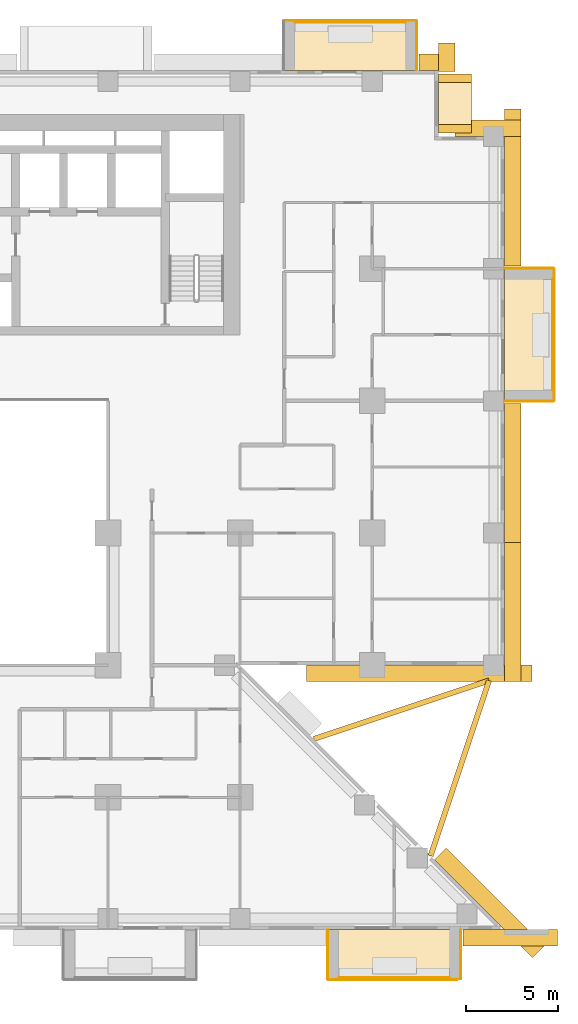
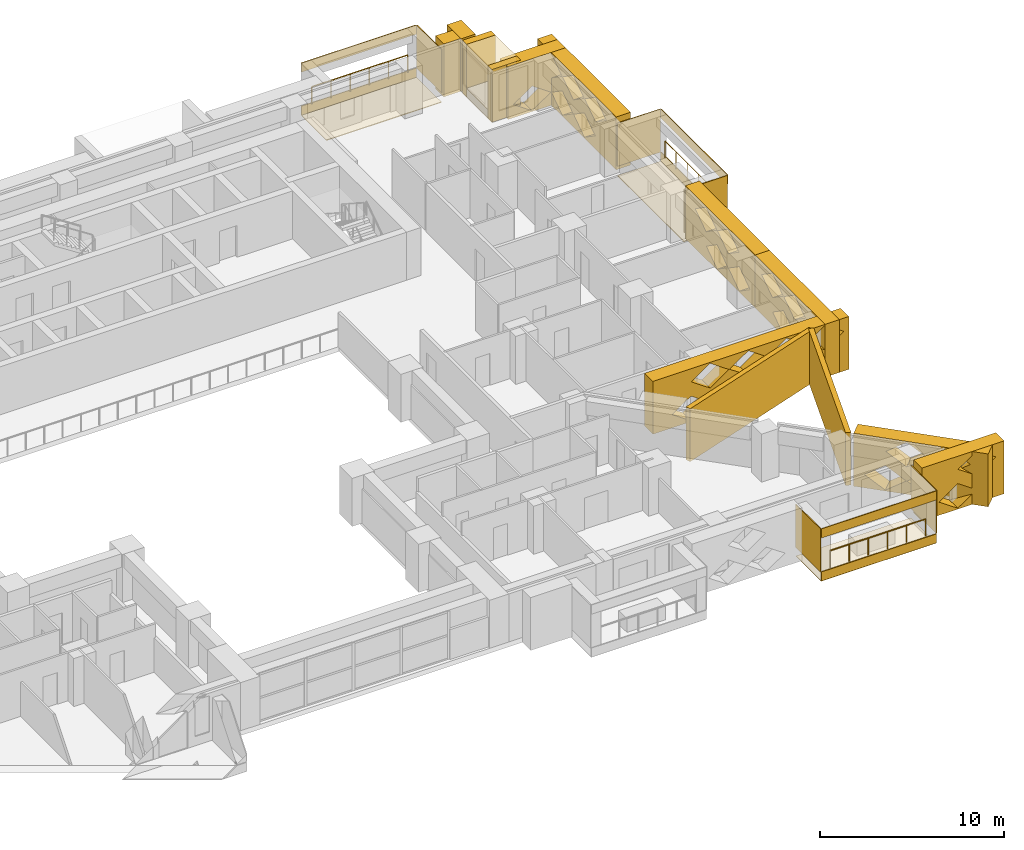
# One storey, part 17 of 17: 29 coverings, 3 railings.
"""IFC4 building model written with IfcOpenShell, lengths in metres."""

from ifc_helpers import new_model, si_unit, direction, frame, origin, origin_2d, place, context, subcontext, project, spatial, polyline, circle, outline, extrude, material, layer, layer_set, type_object, element, save


model = new_model("IFC4")

# Units and contexts
model_context = context("Model", 3, precision=1e-05, world=origin(), true_north=direction((0.0, 1.0)))
body_context = subcontext(model_context, "Body", "Model", "MODEL_VIEW")
ifc_project = project(units=[si_unit("LENGTHUNIT", "METRE"), si_unit("AREAUNIT", "SQUARE_METRE"), si_unit("VOLUMEUNIT", "CUBIC_METRE"), si_unit("PLANEANGLEUNIT", "RADIAN"), si_unit("MASSUNIT", "GRAM", prefix="KILO")], contexts=[model_context])

# Site, building, storey
site_placement = place(None, origin())
site = spatial("IfcSite", under=ifc_project, at=site_placement, CompositionType="ELEMENT")
building_placement = place(site_placement, origin())
building = spatial("IfcBuilding", under=site, at=building_placement, Name="Saffron Iwan Residences", CompositionType="ELEMENT")
storey_placement = place(building_placement, frame((0.0, 0.0, 41.0)))
storey = spatial("IfcBuildingStorey", under=building, at=storey_placement, Name="L09", CompositionType="ELEMENT", Elevation=41.0)

# Railings
ifc_material_1 = material(Name="Stainless steel 316", Category="steel")
railing_type = type_object("IfcRailingType", Name="BALCONY GUARD 1150", PredefinedType="GUARDRAIL", material=ifc_material_1)
railing_1_placement = place(storey_placement, frame((89.02490234375, 63.0, 0.0)))
element("IfcRailing", 1, at=railing_1_placement, inside=storey, type_object=railing_type, Name="Balcony guard L09 F2-0", PredefinedType="GUARDRAIL", context=body_context, shape_type="SweptSolid", body=[
    extrude(circle(Radius=0.02392578125, at=origin_2d()), frame((0.0, 0.0, 1.1259765625), z_axis=(0.0, 1.0, 0.0), x_axis=(-1.0, 0.0, 0.0)), (0.0, 0.0, 1.0), 6.0),
    extrude(circle(Radius=0.02099609375, at=origin_2d()), origin(), (0.0, 0.0, 1.0), 1.101806640625),
    extrude(circle(Radius=0.02099609375, at=origin_2d()), frame((0.0, 1.199951171875, 0.0)), (0.0, 0.0, 1.0), 1.101806640625),
    extrude(circle(Radius=0.02099609375, at=origin_2d()), frame((0.0, 2.39990234375, 0.0)), (0.0, 0.0, 1.0), 1.101806640625),
    extrude(circle(Radius=0.02099609375, at=origin_2d()), frame((0.0, 3.60009765625, 0.0)), (0.0, 0.0, 1.0), 1.101806640625),
    extrude(circle(Radius=0.02099609375, at=origin_2d()), frame((0.0, 4.800048828125, 0.0)), (0.0, 0.0, 1.0), 1.101806640625),
    extrude(circle(Radius=0.02099609375, at=origin_2d()), frame((0.0, 6.0, 0.0)), (0.0, 0.0, 1.0), 1.101806640625),
])
railing_2_placement = place(storey_placement, frame((81.0, 83.02490234375, 0.0)))
element("IfcRailing", 2, at=railing_2_placement, inside=storey, type_object=railing_type, Name="Balcony guard L09 F5-0", PredefinedType="GUARDRAIL", context=body_context, shape_type="SweptSolid", body=[
    extrude(circle(Radius=0.02392578125, at=origin_2d()), frame((0.0, 0.0, 1.1259765625), z_axis=(-1.0, 0.0, 0.0), x_axis=(0.0, -1.0, 0.0)), (0.0, 0.0, 1.0), 6.0),
    extrude(circle(Radius=0.02099609375, at=origin_2d()), origin(), (0.0, 0.0, 1.0), 1.101806640625),
    extrude(circle(Radius=0.02099609375, at=origin_2d()), frame((-1.199951171875, 0.0, 0.0)), (0.0, 0.0, 1.0), 1.101806640625),
    extrude(circle(Radius=0.02099609375, at=origin_2d()), frame((-2.39990234375, 0.0, 0.0)), (0.0, 0.0, 1.0), 1.101806640625),
    extrude(circle(Radius=0.02099609375, at=origin_2d()), frame((-3.60009765625, 0.0, 0.0)), (0.0, 0.0, 1.0), 1.101806640625),
    extrude(circle(Radius=0.02099609375, at=origin_2d()), frame((-4.800048828125, 0.0, 0.0)), (0.0, 0.0, 1.0), 1.101806640625),
    extrude(circle(Radius=0.02099609375, at=origin_2d()), frame((-6.0, 0.0, 0.0)), (0.0, 0.0, 1.0), 1.101806640625),
])
railing_3_placement = place(storey_placement, frame((77.39990234375, 30.97509765625, 0.0)))
element("IfcRailing", 3, at=railing_3_placement, inside=storey, type_object=railing_type, Name="Balcony guard L09 11-3", PredefinedType="GUARDRAIL", context=body_context, shape_type="SweptSolid", body=[
    extrude(circle(Radius=0.02392578125, at=origin_2d()), frame((0.0, 0.0, 1.1259765625), z_axis=(1.0, 0.0, 0.0), x_axis=(0.0, 1.0, 0.0)), (0.0, 0.0, 1.0), 6.0),
    extrude(circle(Radius=0.02099609375, at=origin_2d()), origin(), (0.0, 0.0, 1.0), 1.101806640625),
    extrude(circle(Radius=0.02099609375, at=origin_2d()), frame((1.199951171875, 0.0, 0.0)), (0.0, 0.0, 1.0), 1.101806640625),
    extrude(circle(Radius=0.02099609375, at=origin_2d()), frame((2.39990234375, 0.0, 0.0)), (0.0, 0.0, 1.0), 1.101806640625),
    extrude(circle(Radius=0.02099609375, at=origin_2d()), frame((3.60009765625, 0.0, 0.0)), (0.0, 0.0, 1.0), 1.101806640625),
    extrude(circle(Radius=0.02099609375, at=origin_2d()), frame((4.800048828125, 0.0, 0.0)), (0.0, 0.0, 1.0), 1.101806640625),
    extrude(circle(Radius=0.02099609375, at=origin_2d()), frame((6.0, 0.0, 0.0)), (0.0, 0.0, 1.0), 1.101806640625),
])

# Coverings
ifc_material_2 = material(Name="Precast concrete C40/50 white painted", Category="concrete")
ifc_layer_1 = layer(ifc_material_2, 0.050048828125)
ifc_layer_set_1 = layer_set([ifc_layer_1], Name="Precast concrete C40/50 white painted")
covering_type_1 = type_object("IfcCoveringType", Name="FRAME SKIN PRECAST WHITE 50", PredefinedType="CLADDING", material=ifc_layer_set_1)
for number, where, name in (
    (4, (0.0, 0.0, -0.60009765625), "Frame skin slab edge L09 F2-0"),
    (5, (0.0, 0.0, 2.25), "Frame skin fascia L09 F2-0"),
):
    element("IfcCovering", number, at=place(storey_placement, frame(where)), inside=storey, type_object=covering_type_1, Name=name, PredefinedType="CLADDING", context=body_context, shape_type="SweptSolid", body=[
        extrude(outline(polyline([(89.14990234375, 62.39990234375), (89.14990234375, 69.60009765625), (89.10009765625, 69.60009765625), (89.10009765625, 62.39990234375), (89.14990234375, 62.39990234375)])), origin(), (0.0, 0.0, 1.0), 0.60009765625),
    ])
covering_1_placement = place(storey_placement, frame((0.0, 0.0, -0.64990234375)))
element("IfcCovering", 6, at=covering_1_placement, inside=storey, type_object=covering_type_1, Name="Frame skin soffit L09 F2-0", PredefinedType="CLADDING", context=body_context, shape_type="SweptSolid", body=[
    extrude(outline(polyline([(89.10009765625, 62.39990234375), (89.10009765625, 69.60009765625), (86.39990234375, 69.60009765625), (86.39990234375, 62.39990234375), (89.10009765625, 62.39990234375)])), origin(), (0.0, 0.0, 1.0), 0.0498046875),
])
covering_2_placement = place(storey_placement, origin())
element("IfcCovering", 7, at=covering_2_placement, inside=storey, type_object=covering_type_1, Name="Frame skin fin L09 F2-0a", PredefinedType="CLADDING", context=body_context, shape_type="SweptSolid", body=[
    extrude(outline(polyline([(89.10009765625, 62.35009765625), (89.10009765625, 62.39990234375), (86.39990234375, 62.39990234375), (86.39990234375, 62.35009765625), (89.10009765625, 62.35009765625)])), origin(), (0.0, 0.0, 1.0), 2.85009765625),
])
covering_3_placement = place(storey_placement, origin())
element("IfcCovering", 8, at=covering_3_placement, inside=storey, type_object=covering_type_1, Name="Frame skin fin L09 F2-0b", PredefinedType="CLADDING", context=body_context, shape_type="SweptSolid", body=[
    extrude(outline(polyline([(89.10009765625, 69.60009765625), (89.10009765625, 69.64990234375), (86.39990234375, 69.64990234375), (86.39990234375, 69.60009765625), (89.10009765625, 69.60009765625)])), origin(), (0.0, 0.0, 1.0), 2.85009765625),
])
for number, where, name in (
    (9, (0.0, 0.0, -0.60009765625), "Frame skin slab edge L09 F5-0"),
    (10, (0.0, 0.0, 2.25), "Frame skin fascia L09 F5-0"),
):
    element("IfcCovering", number, at=place(storey_placement, frame(where)), inside=storey, type_object=covering_type_1, Name=name, PredefinedType="CLADDING", context=body_context, shape_type="SweptSolid", body=[
        extrude(outline(polyline([(81.60009765625, 83.14990234375), (74.39990234375, 83.14990234375), (74.39990234375, 83.10009765625), (81.60009765625, 83.10009765625), (81.60009765625, 83.14990234375)])), origin(), (0.0, 0.0, 1.0), 0.60009765625),
    ])
covering_4_placement = place(storey_placement, frame((0.0, 0.0, -0.64990234375)))
element("IfcCovering", 11, at=covering_4_placement, inside=storey, type_object=covering_type_1, Name="Frame skin soffit L09 F5-0", PredefinedType="CLADDING", context=body_context, shape_type="SweptSolid", body=[
    extrude(outline(polyline([(81.60009765625, 83.10009765625), (74.39990234375, 83.10009765625), (74.39990234375, 80.39990234375), (81.60009765625, 80.39990234375), (81.60009765625, 83.10009765625)])), origin(), (0.0, 0.0, 1.0), 0.0498046875),
])
covering_5_placement = place(storey_placement, origin())
element("IfcCovering", 12, at=covering_5_placement, inside=storey, type_object=covering_type_1, Name="Frame skin fin L09 F5-0a", PredefinedType="CLADDING", context=body_context, shape_type="SweptSolid", body=[
    extrude(outline(polyline([(81.64990234375, 83.10009765625), (81.60009765625, 83.10009765625), (81.60009765625, 80.39990234375), (81.64990234375, 80.39990234375), (81.64990234375, 83.10009765625)])), origin(), (0.0, 0.0, 1.0), 2.85009765625),
])
for number, where, name in (
    (13, (0.0, 0.0, -0.60009765625), "Frame skin slab edge L09 11-3"),
    (14, (0.0, 0.0, 2.25), "Frame skin fascia L09 11-3"),
):
    element("IfcCovering", number, at=place(storey_placement, frame(where)), inside=storey, type_object=covering_type_1, Name=name, PredefinedType="CLADDING", context=body_context, shape_type="SweptSolid", body=[
        extrude(outline(polyline([(76.800048828125, 30.85009765625), (84.0, 30.85009765625), (84.0, 30.89990234375), (76.800048828125, 30.89990234375), (76.800048828125, 30.85009765625)])), origin(), (0.0, 0.0, 1.0), 0.60009765625),
    ])
covering_6_placement = place(storey_placement, frame((0.0, 0.0, -0.64990234375)))
element("IfcCovering", 15, at=covering_6_placement, inside=storey, type_object=covering_type_1, Name="Frame skin soffit L09 11-3", PredefinedType="CLADDING", context=body_context, shape_type="SweptSolid", body=[
    extrude(outline(polyline([(76.800048828125, 30.89990234375), (84.0, 30.89990234375), (84.0, 33.60009765625), (76.800048828125, 33.60009765625), (76.800048828125, 30.89990234375)])), origin(), (0.0, 0.0, 1.0), 0.0498046875),
])
covering_7_placement = place(storey_placement, origin())
element("IfcCovering", 16, at=covering_7_placement, inside=storey, type_object=covering_type_1, Name="Frame skin fin L09 11-3a", PredefinedType="CLADDING", context=body_context, shape_type="SweptSolid", body=[
    extrude(outline(polyline([(76.75, 30.89990234375), (76.800048828125, 30.89990234375), (76.800048828125, 33.60009765625), (76.75, 33.60009765625), (76.75, 30.89990234375)])), origin(), (0.0, 0.0, 1.0), 2.85009765625),
])
covering_8_placement = place(storey_placement, origin())
element("IfcCovering", 17, at=covering_8_placement, inside=storey, type_object=covering_type_1, Name="Frame skin fin L09 11-3b", PredefinedType="CLADDING", context=body_context, shape_type="SweptSolid", body=[
    extrude(outline(polyline([(84.0, 30.89990234375), (84.050048828125, 30.89990234375), (84.050048828125, 33.60009765625), (84.0, 33.60009765625), (84.0, 30.89990234375)])), origin(), (0.0, 0.0, 1.0), 2.85009765625),
])
ifc_material_3 = material(Name="Precast concrete C40/50", Category="concrete")
covering_type_2 = type_object("IfcCoveringType", Name="OUTER SKIN LATTICE SCREEN", PredefinedType="CLADDING", material=ifc_material_3)
covering_9_placement = place(storey_placement, frame((87.939453125, 32.060546875, -0.320068359375), z_axis=(0.706971125213, 0.70724241114, 0.0), x_axis=(-0.70724241114, 0.706971125213, 0.0)))
element("IfcCovering", 18, at=covering_9_placement, inside=storey, type_object=covering_type_2, Name="OUTER SKIN lattice screen L09 F0.0", PredefinedType="CLADDING", context=body_context, shape_type="SweptSolid", body=[
    extrude(outline(polyline([(0.0, 0.0), (7.559326171875, 0.0), (7.559326171875, 3.5), (0.0, 3.5), (0.0, 0.0)]), holes=[polyline([(2.197021484375, 0.875), (3.377197265625, 0.06005859375), (4.55712890625, 0.875), (3.377197265625, 1.68994140625), (2.197021484375, 0.875)]), polyline([(4.59716796875, 0.875), (5.777099609375, 0.06005859375), (6.95703125, 0.875), (5.777099609375, 1.68994140625), (4.59716796875, 0.875)]), polyline([(0.9970703125, 2.625), (2.177001953125, 1.81005859375), (3.357177734375, 2.625), (2.177001953125, 3.43994140625), (0.9970703125, 2.625)]), polyline([(3.397216796875, 2.625), (4.5771484375, 1.81005859375), (5.757080078125, 2.625), (4.5771484375, 3.43994140625), (3.397216796875, 2.625)])]), origin(), (0.0, 0.0, 1.0), 0.89990234375),
])
covering_10_placement = place(storey_placement, frame((75.6171875, 48.0, -0.320068359375), z_axis=(0.0, -1.0, 0.0), x_axis=(1.0, 0.0, 0.0)))
element("IfcCovering", 19, at=covering_10_placement, inside=storey, type_object=covering_type_2, Name="OUTER SKIN lattice screen L09 F1.0", PredefinedType="CLADDING", context=body_context, shape_type="SweptSolid", body=[
    extrude(outline(polyline([(0.0, 0.0), (12.282958984375, 0.0), (12.282958984375, 3.5), (0.0, 3.5), (0.0, 0.0)]), holes=[polyline([(1.202880859375, 0.875), (2.3828125, 0.06005859375), (3.56298828125, 0.875), (2.3828125, 1.68994140625), (1.202880859375, 0.875)]), polyline([(3.602783203125, 0.875), (4.782958984375, 0.06005859375), (5.962890625, 0.875), (4.782958984375, 1.68994140625), (3.602783203125, 0.875)]), polyline([(6.0029296875, 0.875), (7.182861328125, 0.06005859375), (8.36279296875, 0.875), (7.182861328125, 1.68994140625), (6.0029296875, 0.875)]), polyline([(8.40283203125, 0.875), (9.5830078125, 0.06005859375), (10.762939453125, 0.875), (9.5830078125, 1.68994140625), (8.40283203125, 0.875)]), polyline([(2.40283203125, 2.625), (3.5830078125, 1.81005859375), (4.762939453125, 2.625), (3.5830078125, 3.43994140625), (2.40283203125, 2.625)]), polyline([(4.802978515625, 2.625), (5.98291015625, 1.81005859375), (7.162841796875, 2.625), (5.98291015625, 3.43994140625), (4.802978515625, 2.625)]), polyline([(7.202880859375, 2.625), (8.3828125, 1.81005859375), (9.56298828125, 2.625), (8.3828125, 3.43994140625), (7.202880859375, 2.625)]), polyline([(9.602783203125, 2.625), (10.782958984375, 1.81005859375), (11.962890625, 2.625), (10.782958984375, 3.43994140625), (9.602783203125, 2.625)])]), origin(), (0.0, 0.0, 1.0), 0.89990234375),
])
covering_11_placement = place(storey_placement, frame((86.39990234375, 47.10009765625, -0.320068359375), z_axis=(1.0, 0.0, 0.0), x_axis=(0.0, 1.0, 0.0)))
element("IfcCovering", 20, at=covering_11_placement, inside=storey, type_object=covering_type_2, Name="OUTER SKIN lattice screen L09 F2.0", PredefinedType="CLADDING", context=body_context, shape_type="SweptSolid", body=[
    extrude(outline(polyline([(0.0, 0.0), (7.574951171875, 0.0), (7.574951171875, 3.5), (0.0, 3.5), (0.0, 0.0)]), holes=[polyline([(0.919921875, 0.875), (2.10009765625, 0.06005859375), (3.280029296875, 0.875), (2.10009765625, 1.68994140625), (0.919921875, 0.875)]), polyline([(3.320068359375, 0.875), (4.5, 0.06005859375), (5.679931640625, 0.875), (4.5, 1.68994140625), (3.320068359375, 0.875)]), polyline([(2.1201171875, 2.625), (3.300048828125, 1.81005859375), (4.47998046875, 2.625), (3.300048828125, 3.43994140625), (2.1201171875, 2.625)]), polyline([(4.52001953125, 2.625), (5.699951171875, 1.81005859375), (6.8798828125, 2.625), (5.699951171875, 3.43994140625), (4.52001953125, 2.625)])]), origin(), (0.0, 0.0, 1.0), 0.900146484375),
])
covering_12_placement = place(storey_placement, frame((86.39990234375, 54.675048828125, -0.320068359375), z_axis=(1.0, 0.0, 0.0), x_axis=(0.0, 1.0, 0.0)))
element("IfcCovering", 21, at=covering_12_placement, inside=storey, type_object=covering_type_2, Name="OUTER SKIN lattice screen L09 F2.1", PredefinedType="CLADDING", context=body_context, shape_type="SweptSolid", body=[
    extrude(outline(polyline([(0.0, 0.0), (7.574951171875, 0.0), (7.574951171875, 3.5), (0.0, 3.5), (0.0, 0.0)]), holes=[polyline([(0.544921875, 0.875), (1.72509765625, 0.06005859375), (2.905029296875, 0.875), (1.72509765625, 1.68994140625), (0.544921875, 0.875)]), polyline([(2.945068359375, 0.875), (4.125, 0.06005859375), (5.304931640625, 0.875), (4.125, 1.68994140625), (2.945068359375, 0.875)]), polyline([(1.7451171875, 2.625), (2.925048828125, 1.81005859375), (4.10498046875, 2.625), (2.925048828125, 3.43994140625), (1.7451171875, 2.625)]), polyline([(4.14501953125, 2.625), (5.324951171875, 1.81005859375), (6.5048828125, 2.625), (5.324951171875, 3.43994140625), (4.14501953125, 2.625)])]), origin(), (0.0, 0.0, 1.0), 0.900146484375),
])
covering_13_placement = place(storey_placement, frame((86.39990234375, 69.75, -0.320068359375), z_axis=(1.0, 0.0, 0.0), x_axis=(0.0, 1.0, 0.0)))
element("IfcCovering", 22, at=covering_13_placement, inside=storey, type_object=covering_type_2, Name="OUTER SKIN lattice screen L09 F2.2", PredefinedType="CLADDING", context=body_context, shape_type="SweptSolid", body=[
    extrude(outline(polyline([(0.0, 0.0), (8.550048828125, 0.0), (8.550048828125, 3.5), (0.0, 3.5), (0.0, 0.0)]), holes=[polyline([(2.27001953125, 0.875), (3.449951171875, 0.06005859375), (4.6298828125, 0.875), (3.449951171875, 1.68994140625), (2.27001953125, 0.875)]), polyline([(4.669921875, 0.875), (5.85009765625, 0.06005859375), (7.030029296875, 0.875), (5.85009765625, 1.68994140625), (4.669921875, 0.875)]), polyline([(1.070068359375, 2.625), (2.25, 1.81005859375), (3.429931640625, 2.625), (2.25, 3.43994140625), (1.070068359375, 2.625)]), polyline([(3.469970703125, 2.625), (4.64990234375, 1.81005859375), (5.830078125, 2.625), (4.64990234375, 3.43994140625), (3.469970703125, 2.625)]), polyline([(5.8701171875, 2.625), (7.050048828125, 1.81005859375), (8.22998046875, 2.625), (7.050048828125, 3.43994140625), (5.8701171875, 2.625)])]), origin(), (0.0, 0.0, 1.0), 0.900146484375),
])
covering_14_placement = place(storey_placement, frame((87.300048828125, 76.800048828125, -0.320068359375), z_axis=(0.0, 1.0, 0.0), x_axis=(-1.0, 0.0, 0.0)))
element("IfcCovering", 23, at=covering_14_placement, inside=storey, type_object=covering_type_2, Name="OUTER SKIN lattice screen L09 F3.0", PredefinedType="CLADDING", context=body_context, shape_type="SweptSolid", body=[
    extrude(outline(polyline([(0.0, 0.0), (3.60009765625, 0.0), (3.60009765625, 3.5), (0.0, 3.5), (0.0, 0.0)]), holes=[polyline([(0.919921875, 0.875), (2.10009765625, 0.06005859375), (3.280029296875, 0.875), (2.10009765625, 1.68994140625), (0.919921875, 0.875)])]), origin(), (0.0, 0.0, 1.0), 0.89990234375),
])
covering_15_placement = place(storey_placement, frame((82.800048828125, 80.35009765625, -0.320068359375), z_axis=(1.0, 0.0, 0.0), x_axis=(0.0, 1.0, 0.0)))
element("IfcCovering", 24, at=covering_15_placement, inside=storey, type_object=covering_type_2, Name="OUTER SKIN lattice screen L09 F4.0", PredefinedType="CLADDING", context=body_context, shape_type="SweptSolid", body=[
    extrude(outline(polyline([(0.0, 0.0), (1.550048828125, 0.0), (1.550048828125, 3.5), (0.0, 3.5), (0.0, 0.0)])), origin(), (0.0, 0.0, 1.0), 0.89990234375),
])
covering_16_placement = place(storey_placement, frame((83.699951171875, 80.39990234375, -0.320068359375), z_axis=(0.0, 1.0, 0.0), x_axis=(-1.0, 0.0, 0.0)))
element("IfcCovering", 25, at=covering_16_placement, inside=storey, type_object=covering_type_2, Name="OUTER SKIN lattice screen L09 F5.0", PredefinedType="CLADDING", context=body_context, shape_type="SweptSolid", body=[
    extrude(outline(polyline([(0.0, 0.0), (1.949951171875, 0.0), (1.949951171875, 3.5), (0.0, 3.5), (0.0, 0.0)])), origin(), (0.0, 0.0, 1.0), 0.900146484375),
])
covering_17_placement = place(storey_placement, frame((84.14990234375, 33.60009765625, -0.320068359375), z_axis=(0.0, -1.0, 0.0), x_axis=(1.0, 0.0, 0.0)))
element("IfcCovering", 26, at=covering_17_placement, inside=storey, type_object=covering_type_2, Name="OUTER SKIN lattice screen L09 F11.4", PredefinedType="CLADDING", context=body_context, shape_type="SweptSolid", body=[
    extrude(outline(polyline([(0.0, 0.0), (5.147216796875, 0.0), (5.147216796875, 3.5), (0.0, 3.5), (0.0, 0.0)]), holes=[polyline([(1.070068359375, 0.875), (2.25, 0.06005859375), (3.429931640625, 0.875), (2.25, 1.68994140625), (1.070068359375, 0.875)]), polyline([(2.27001953125, 2.625), (3.449951171875, 1.81005859375), (4.6298828125, 2.625), (3.449951171875, 3.43994140625), (2.27001953125, 2.625)])]), origin(), (0.0, 0.0, 1.0), 0.900146484375),
])
ifc_layer_2 = layer(ifc_material_2, 0.300048828125)
ifc_layer_set_2 = layer_set([ifc_layer_2], Name="Precast concrete C40/50 white painted")
covering_type_3 = type_object("IfcCoveringType", Name="PROW NOSE BLADE PRECAST WHITE", PredefinedType="CLADDING", material=ifc_layer_set_2)
covering_18_placement = place(storey_placement, frame((0.0, 0.0, -0.320068359375)))
element("IfcCovering", 27, at=covering_18_placement, inside=storey, type_object=covering_type_3, Name="Prow nose blade L09 a", PredefinedType="CLADDING", context=body_context, shape_type="SweptSolid", body=[
    extrude(outline(polyline([(82.5244140625, 37.570556640625), (85.706298828125, 47.116455078125), (85.421630859375, 47.21142578125), (82.23974609375, 37.66552734375), (82.5244140625, 37.570556640625)])), origin(), (0.0, 0.0, 1.0), 3.5),
])
covering_19_placement = place(storey_placement, frame((0.0, 0.0, -0.320068359375)))
element("IfcCovering", 28, at=covering_19_placement, inside=storey, type_object=covering_type_3, Name="Prow nose blade L09 b", PredefinedType="CLADDING", context=body_context, shape_type="SweptSolid", body=[
    extrude(outline(polyline([(76.0654296875, 43.839599609375), (85.611328125, 47.021728515625), (85.5166015625, 47.306396484375), (75.970703125, 44.124267578125), (76.0654296875, 43.839599609375)])), origin(), (0.0, 0.0, 1.0), 3.5),
])
covering_type_4 = type_object("IfcCoveringType", Name="WHITE SUN FRAME PRECAST", PredefinedType="CLADDING", material=ifc_material_2)
for number, where, z_axis, x_axis, name in (
    (29, (82.800048828125, 77.0, -0.320068359375), (1.0, 0.0, 0.0), (0.0, 1.0, 0.0), "Sun frame L09 F4 0.2a"),
    (30, (82.800048828125, 79.75, -0.320068359375), (1.0, 0.0, 0.0), (0.0, 1.0, 0.0), "Sun frame L09 F4 0.2b"),
):
    element("IfcCovering", number, at=place(storey_placement, frame(where, z_axis=z_axis, x_axis=x_axis)), inside=storey, type_object=covering_type_4, Name=name, PredefinedType="CLADDING", context=body_context, shape_type="SweptSolid", body=[
        extrude(outline(polyline([(0.0, 0.0), (0.449951171875, 0.0), (0.449951171875, 3.5), (0.0, 3.5), (0.0, 0.0)])), origin(), (0.0, 0.0, 1.0), 1.800048828125),
    ])
for number, where, z_axis, x_axis, name in (
    (31, (82.800048828125, 77.449951171875, 2.580078125), (1.0, 0.0, 0.0), (0.0, 1.0, 0.0), "Sun frame L09 F4 0.2h"),
    (32, (82.800048828125, 77.449951171875, -0.320068359375), (1.0, 0.0, 0.0), (0.0, 1.0, 0.0), "Sun frame L09 F4 0.2s"),
):
    element("IfcCovering", number, at=place(storey_placement, frame(where, z_axis=z_axis, x_axis=x_axis)), inside=storey, type_object=covering_type_4, Name=name, PredefinedType="CLADDING", context=body_context, shape_type="SweptSolid", body=[
        extrude(outline(polyline([(0.0, 0.0), (2.300048828125, 0.0), (2.300048828125, 0.60009765625), (0.0, 0.60009765625), (0.0, 0.0)])), origin(), (0.0, 0.0, 1.0), 1.800048828125),
    ])

save(model, "model.ifc")
